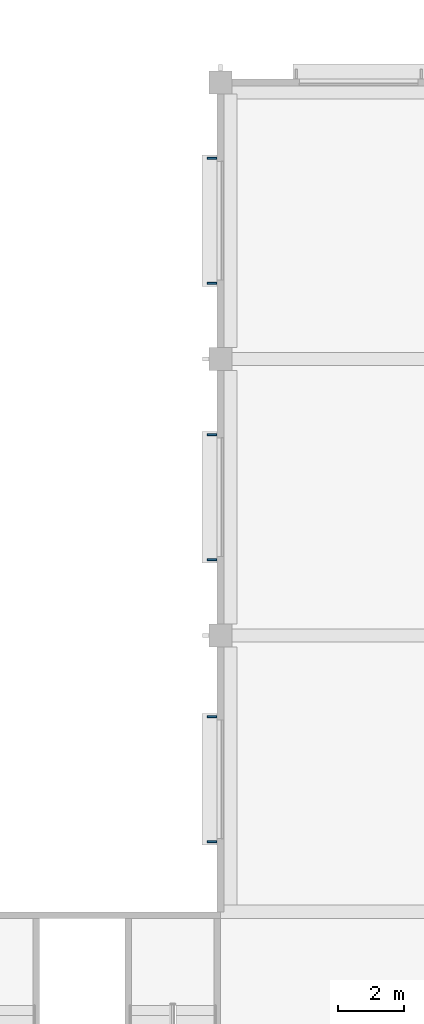
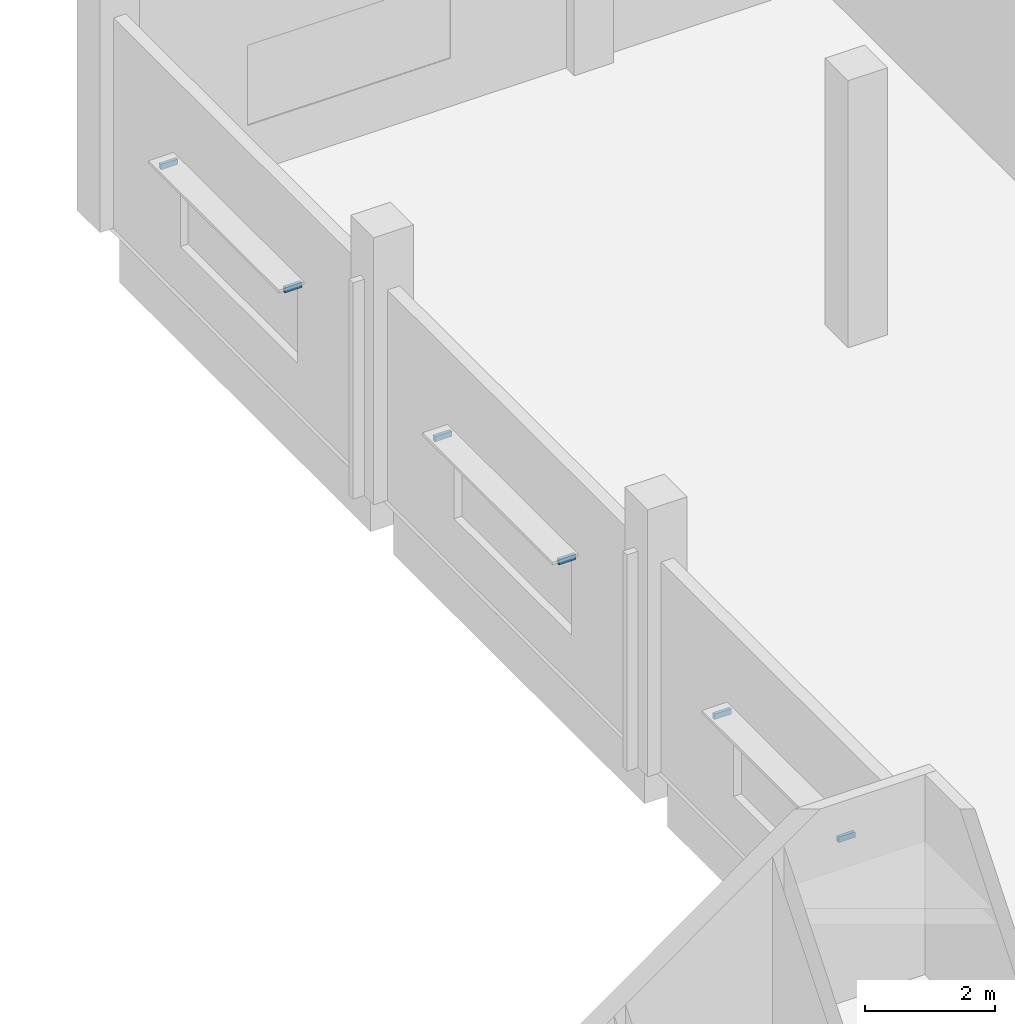
# One storey, part 36 of 82: 6 discrete accessories.
"""IFC4 building model written with IfcOpenShell, lengths in metres."""

from ifc_helpers import new_model, si_unit, direction, frame, origin, origin_2d, place, context, subcontext, project, spatial, rectangle, extrude, material, type_object, element, save


model = new_model("IFC4")

# Units and contexts
model_context = context("Model", 3, precision=1e-05, world=origin(), true_north=direction((0.0, 1.0)))
body_context = subcontext(model_context, "Body", "Model", "MODEL_VIEW")
ifc_project = project(units=[si_unit("LENGTHUNIT", "METRE"), si_unit("AREAUNIT", "SQUARE_METRE"), si_unit("VOLUMEUNIT", "CUBIC_METRE"), si_unit("PLANEANGLEUNIT", "RADIAN"), si_unit("MASSUNIT", "GRAM", prefix="KILO")], contexts=[model_context])

# Site, building, storey
site_placement = place(None, origin())
site = spatial("IfcSite", under=ifc_project, at=site_placement, CompositionType="ELEMENT")
building_placement = place(site_placement, origin())
building = spatial("IfcBuilding", under=site, at=building_placement, Name="Almond Square Museum", CompositionType="ELEMENT")
storey_placement = place(building_placement, frame((0.0, 0.0, 20.0)))
storey = spatial("IfcBuildingStorey", under=building, at=storey_placement, Name="L03", CompositionType="ELEMENT", Elevation=20.0)

# Discrete accessories
ifc_material = material(Name="Stainless steel", Category="steel")
discrete_accessory_type = type_object("IfcDiscreteAccessoryType", Name="Sun-shade blade bracket", PredefinedType="BRACKET", material=ifc_material)
for number, where, z_axis, x_axis, name in (
    (1, (131.741943359375, 35.89990234375, 2.39697265625), (0.0, 0.0, 1.0), (1.0, 0.0, 0.0), "Bracket sun-shade blade"),
    (2, (131.741943359375, 39.699951171875, 2.39697265625), (0.0, 0.0, 1.0), (1.0, 0.0, 0.0), "Bracket sun-shade blade"),
    (3, (131.741943359375, 27.5, 2.39697265625), (0.0, 0.0, 1.0), (1.0, 0.0, 0.0), "Bracket sun-shade blade"),
    (4, (131.741943359375, 31.300048828125, 2.39697265625), (0.0, 0.0, 1.0), (1.0, 0.0, 0.0), "Bracket sun-shade blade"),
    (5, (131.741943359375, 18.925048828125, 2.39697265625), (0.0, 0.0, 1.0), (1.0, 0.0, 0.0), "Bracket sun-shade blade"),
    (6, (131.741943359375, 22.72509765625, 2.39697265625), (0.0, 0.0, 1.0), (1.0, 0.0, 0.0), "Bracket sun-shade blade"),
):
    element("IfcDiscreteAccessory", number, at=place(storey_placement, frame(where, z_axis=z_axis, x_axis=x_axis)), inside=storey, type_object=discrete_accessory_type, Name=name, PredefinedType="BRACKET", context=body_context, shape_type="SweptSolid", body=[
        extrude(rectangle(XDim=0.300048828125, YDim=0.06005859375, at=origin_2d()), origin(), (0.0, 0.0, 1.0), 0.10009765625),
    ])

save(model, "model.ifc")
